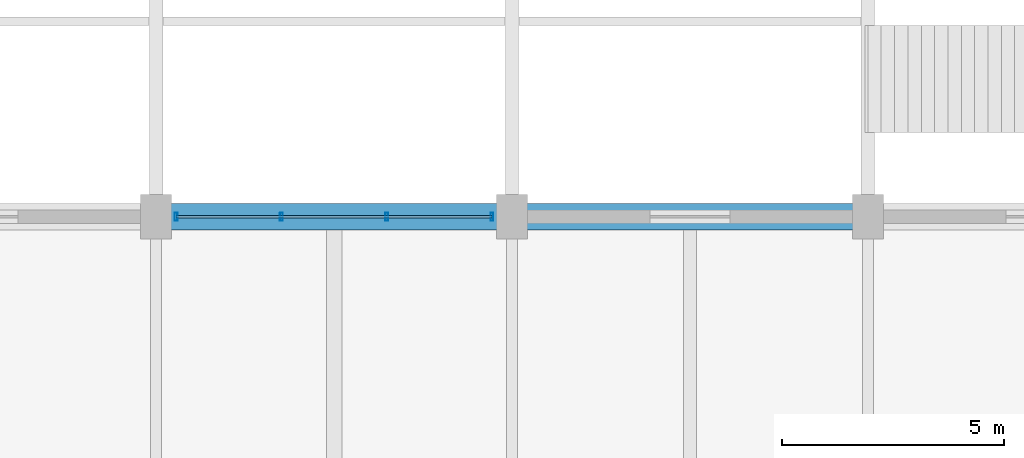
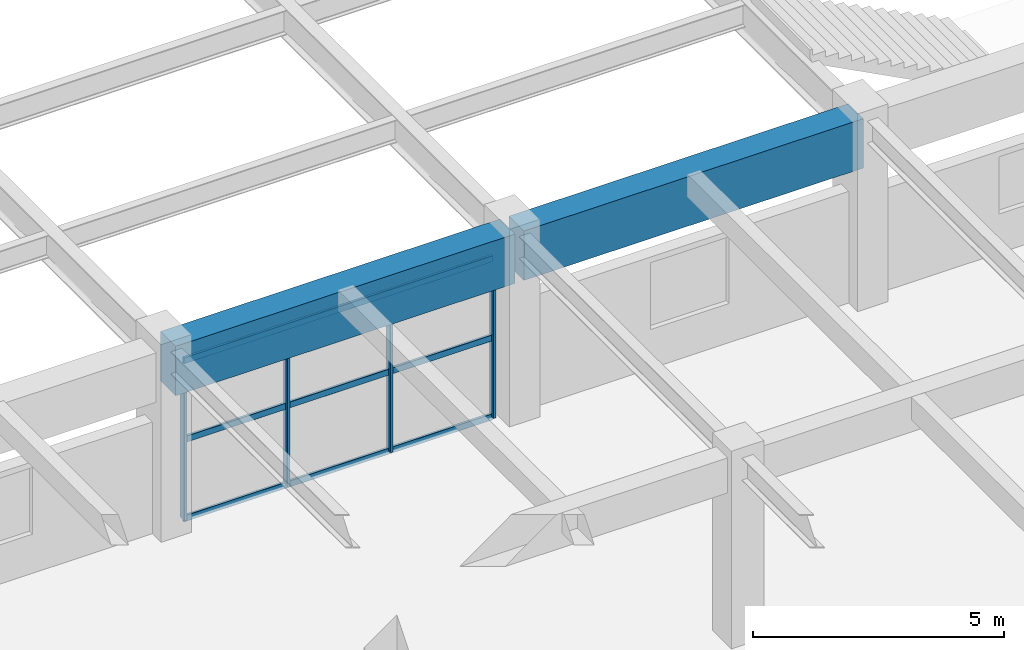
# One storey, part 27 of 144: 7 members, 2 beams, 1 element without a shape of its own.
"""IFC4 building model written with IfcOpenShell, lengths in metres."""

from ifc_helpers import new_model, si_unit, direction, frame, origin, origin_2d, place, context, subcontext, project, spatial, rectangle, hollow_rectangle, extrude, material, material_profile, profile_set, type_object, element, aggregate, save


model = new_model("IFC4")

# Units and contexts
model_context = context("Model", 3, precision=1e-05, world=origin(), true_north=direction((0.0, 1.0)))
body_context = subcontext(model_context, "Body", "Model", "MODEL_VIEW")
ifc_project = project(units=[si_unit("LENGTHUNIT", "METRE"), si_unit("AREAUNIT", "SQUARE_METRE"), si_unit("VOLUMEUNIT", "CUBIC_METRE"), si_unit("PLANEANGLEUNIT", "RADIAN"), si_unit("MASSUNIT", "GRAM", prefix="KILO")], contexts=[model_context])

# Site, building, storey
site_placement = place(None, origin())
site = spatial("IfcSite", under=ifc_project, at=site_placement, CompositionType="ELEMENT")
building_placement = place(site_placement, origin())
building = spatial("IfcBuilding", under=site, at=building_placement, Name="Varnabhumi Central Station", CompositionType="ELEMENT")
storey_placement = place(building_placement, frame((0.0, 0.0, 4.800048828125)))
storey = spatial("IfcBuildingStorey", under=building, at=storey_placement, Name="L01", CompositionType="ELEMENT", Elevation=4.800048828125)

# Beams
ifc_material_1 = material(Name="Concrete M50", Category="concrete")
ifc_material_profile_1 = material_profile(ifc_material_1, rectangle(XDim=0.60009765625, YDim=1.199951171875, at=origin_2d()), Name="Concrete M50", Category="concrete")
ifc_profile_set_1 = profile_set([ifc_material_profile_1], Name="Concrete M50")
beam_type = type_object("IfcBeamType", Name="BM-RC-1200x600", PredefinedType="BEAM", material=ifc_profile_set_1)
for number, where, z_axis, x_axis, name in (
    (1, (96.10009765625, 36.0, 3.8798828125), (1.0, 0.0, 0.0), (0.0, 1.0, 0.0), "Beam L01-E:13-14"),
    (2, (104.10009765625, 36.0, 3.8798828125), (1.0, 0.0, 0.0), (0.0, 1.0, 0.0), "Beam L01-E:14-15"),
):
    element("IfcBeam", number, at=place(storey_placement, frame(where, z_axis=z_axis, x_axis=x_axis)), inside=storey, type_object=beam_type, Name=name, PredefinedType="BEAM", context=body_context, shape_type="SweptSolid", body=[
        extrude(rectangle(XDim=0.60009765625, YDim=1.199951171875, at=origin_2d()), origin(), (0.0, 0.0, 1.0), 7.7998046875),
    ])

# Curtain wall, members
ifc_material_2 = material(Name="Anodised aluminium 6063-T6", Category="aluminium")
curtain_wall_type = type_object("IfcCurtainWallType", Name="CW-SPINE-SCREEN-L0", PredefinedType="NOTDEFINED", material=ifc_material_2)
curtain_wall_placement = place(storey_placement, origin())
curtain_wall = element("IfcCurtainWall", 3, at=curtain_wall_placement, inside=storey, type_object=curtain_wall_type, Name="Curtain Wall CW-SS112", PredefinedType="NOTDEFINED")
ifc_material_profile_2 = material_profile(ifc_material_2, hollow_rectangle(XDim=0.06494140625, YDim=0.179931640625, WallThickness=0.00390625, InnerFilletRadius=0.001953125, OuterFilletRadius=0.006103515625, at=origin_2d()), Name="Anodised aluminium 6063-T6", Category="aluminium")
ifc_profile_set_2 = profile_set([ifc_material_profile_2], Name="Anodised aluminium 6063-T6")
member_type_1 = type_object("IfcMemberType", Name="CW-MUL-180", PredefinedType="MULLION", material=ifc_profile_set_2)
member_1_placement = place(storey_placement, frame((96.449951171875, 36.0, 0.0), z_axis=(0.0, 0.0, 1.0), x_axis=(1.0, 0.0, 0.0)))
member_1 = element("IfcMember", 4, at=member_1_placement, type_object=member_type_1, Name="Curtain Wall Mullion CW-SS112-M1", PredefinedType="MULLION", context=body_context, shape_type="SweptSolid", body=[
    extrude(hollow_rectangle(XDim=0.06494140625, YDim=0.179931640625, WallThickness=0.00390625, InnerFilletRadius=0.001953125, OuterFilletRadius=0.006103515625, at=origin_2d()), origin(), (0.0, 0.0, 1.0), 3.83984375),
])
member_2_placement = place(storey_placement, frame((98.816650390625, 36.0, 0.0), z_axis=(0.0, 0.0, 1.0), x_axis=(1.0, 0.0, 0.0)))
member_2 = element("IfcMember", 5, at=member_2_placement, type_object=member_type_1, Name="Curtain Wall Mullion CW-SS112-M2", PredefinedType="MULLION", context=body_context, shape_type="SweptSolid", body=[
    extrude(hollow_rectangle(XDim=0.06494140625, YDim=0.179931640625, WallThickness=0.00390625, InnerFilletRadius=0.001953125, OuterFilletRadius=0.006103515625, at=origin_2d()), origin(), (0.0, 0.0, 1.0), 3.83984375),
])
member_3_placement = place(storey_placement, frame((101.183349609375, 36.0, 0.0), z_axis=(0.0, 0.0, 1.0), x_axis=(1.0, 0.0, 0.0)))
member_3 = element("IfcMember", 6, at=member_3_placement, type_object=member_type_1, Name="Curtain Wall Mullion CW-SS112-M3", PredefinedType="MULLION", context=body_context, shape_type="SweptSolid", body=[
    extrude(hollow_rectangle(XDim=0.06494140625, YDim=0.179931640625, WallThickness=0.00390625, InnerFilletRadius=0.001953125, OuterFilletRadius=0.006103515625, at=origin_2d()), origin(), (0.0, 0.0, 1.0), 3.83984375),
])
member_4_placement = place(storey_placement, frame((103.550048828125, 36.0, 0.0), z_axis=(0.0, 0.0, 1.0), x_axis=(1.0, 0.0, 0.0)))
member_4 = element("IfcMember", 7, at=member_4_placement, type_object=member_type_1, Name="Curtain Wall Mullion CW-SS112-M4", PredefinedType="MULLION", context=body_context, shape_type="SweptSolid", body=[
    extrude(hollow_rectangle(XDim=0.06494140625, YDim=0.179931640625, WallThickness=0.00390625, InnerFilletRadius=0.001953125, OuterFilletRadius=0.006103515625, at=origin_2d()), origin(), (0.0, 0.0, 1.0), 3.83984375),
])
ifc_material_profile_3 = material_profile(ifc_material_2, hollow_rectangle(XDim=0.06005859375, YDim=0.14990234375, WallThickness=0.00390625, InnerFilletRadius=0.001953125, OuterFilletRadius=0.006103515625, at=origin_2d()), Name="Anodised aluminium 6063-T6", Category="aluminium")
ifc_profile_set_3 = profile_set([ifc_material_profile_3], Name="Anodised aluminium 6063-T6")
member_type_2 = type_object("IfcMemberType", Name="CW-TR-150", PredefinedType="USERDEFINED", material=ifc_profile_set_3)
member_5_placement = place(storey_placement, frame((96.449951171875, 36.0, 0.0), z_axis=(1.0, 0.0, 0.0), x_axis=(0.0, 1.0, 0.0)))
member_5 = element("IfcMember", 8, at=member_5_placement, type_object=member_type_2, Name="Curtain Wall Transom CW-SS112-T1", ObjectType="TRANSOM", PredefinedType="USERDEFINED", context=body_context, shape_type="SweptSolid", body=[
    extrude(hollow_rectangle(XDim=0.06005859375, YDim=0.14990234375, WallThickness=0.00390625, InnerFilletRadius=0.001953125, OuterFilletRadius=0.006103515625, at=origin_2d()), origin(), (0.0, 0.0, 1.0), 7.10009765625),
])
member_6_placement = place(storey_placement, frame((96.449951171875, 36.0, 1.919921875), z_axis=(1.0, 0.0, 0.0), x_axis=(0.0, 1.0, 0.0)))
member_6 = element("IfcMember", 9, at=member_6_placement, type_object=member_type_2, Name="Curtain Wall Transom CW-SS112-T2", ObjectType="TRANSOM", PredefinedType="USERDEFINED", context=body_context, shape_type="SweptSolid", body=[
    extrude(hollow_rectangle(XDim=0.06005859375, YDim=0.14990234375, WallThickness=0.00390625, InnerFilletRadius=0.001953125, OuterFilletRadius=0.006103515625, at=origin_2d()), origin(), (0.0, 0.0, 1.0), 7.10009765625),
])
member_7_placement = place(storey_placement, frame((96.449951171875, 36.0, 3.83984375), z_axis=(1.0, 0.0, 0.0), x_axis=(0.0, 1.0, 0.0)))
member_7 = element("IfcMember", 10, at=member_7_placement, type_object=member_type_2, Name="Curtain Wall Transom CW-SS112-T3", ObjectType="TRANSOM", PredefinedType="USERDEFINED", context=body_context, shape_type="SweptSolid", body=[
    extrude(hollow_rectangle(XDim=0.06005859375, YDim=0.14990234375, WallThickness=0.00390625, InnerFilletRadius=0.001953125, OuterFilletRadius=0.006103515625, at=origin_2d()), origin(), (0.0, 0.0, 1.0), 7.10009765625),
])
aggregate(curtain_wall, [member_1, member_2, member_3, member_4, member_5, member_6, member_7])

save(model, "model.ifc")
